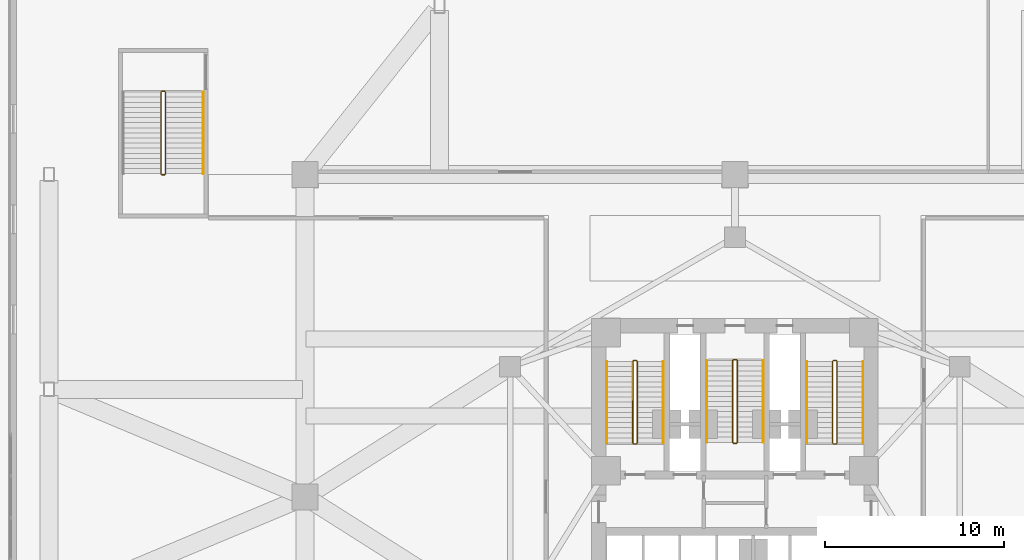
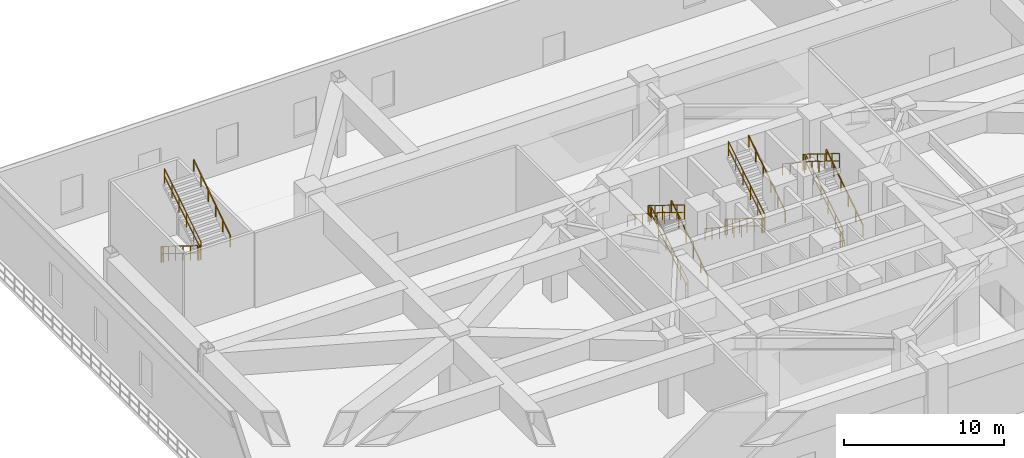
# One storey, part 21 of 25: 23 railings.
"""IFC4 building model written with IfcOpenShell, lengths in metres."""

from ifc_helpers import new_model, si_unit, direction, frame, origin, origin_2d, place, context, subcontext, project, spatial, rectangle, extrude, material, type_object, element, save


model = new_model("IFC4")

# Units and contexts
model_context = context("Model", 3, precision=1e-05, world=origin(), true_north=direction((0.0, 1.0)))
body_context = subcontext(model_context, "Body", "Model", "MODEL_VIEW")
ifc_project = project(units=[si_unit("LENGTHUNIT", "METRE"), si_unit("AREAUNIT", "SQUARE_METRE"), si_unit("VOLUMEUNIT", "CUBIC_METRE"), si_unit("PLANEANGLEUNIT", "RADIAN"), si_unit("MASSUNIT", "GRAM", prefix="KILO")], contexts=[model_context])

# Site, building, storey
site_placement = place(None, origin())
site = spatial("IfcSite", under=ifc_project, at=site_placement, CompositionType="ELEMENT")
building_placement = place(site_placement, origin())
building = spatial("IfcBuilding", under=site, at=building_placement, Name="Apsidion Concourse Tower", CompositionType="ELEMENT")
storey_placement = place(building_placement, frame((0.0, 0.0, 11.5)))
storey = spatial("IfcBuildingStorey", under=building, at=storey_placement, Name="L02", CompositionType="ELEMENT", Elevation=11.5)

# Railings
ifc_material = material(Name="Brushed stainless steel 316", Category="steel")
railing_type_1 = type_object("IfcRailingType", Name="RL-GUARD-1100", PredefinedType="GUARDRAIL", material=ifc_material)
railing_1_placement = place(storey_placement, frame((-5.449951171875, 3.0, 0.176513671875)))
element("IfcRailing", 1, at=railing_1_placement, inside=storey, type_object=railing_type_1, Name="L02 ST1 stair guard 1", PredefinedType="GUARDRAIL", context=body_context, shape_type="SweptSolid", body=[
    extrude(rectangle(XDim=0.048095703125, YDim=0.048095703125, at=origin_2d()), frame((0.0, 0.0, 1.09619140625), z_axis=(0.0, 0.850215668316, 0.526434532824), x_axis=(-1.0, 0.0, 0.0)), (0.0, 0.0, 1.0), 5.363525390625),
    extrude(rectangle(XDim=0.048095703125, YDim=0.048095703125, at=origin_2d()), frame((0.0, 0.0, 0.5361328125), z_axis=(0.0, 0.850215668316, 0.526434532824), x_axis=(-1.0, 0.0, 0.0)), (0.0, 0.0, 1.0), 5.363525390625),
    extrude(rectangle(XDim=0.0419921875, YDim=0.0419921875, at=origin_2d()), origin(), (0.0, 0.0, 1.0), 1.072021484375),
    extrude(rectangle(XDim=0.0419921875, YDim=0.0419921875, at=origin_2d()), frame((0.0, 0.912109375, 0.564697265625)), (0.0, 0.0, 1.0), 1.072021484375),
    extrude(rectangle(XDim=0.0419921875, YDim=0.0419921875, at=origin_2d()), frame((0.0, 1.823974609375, 1.12939453125)), (0.0, 0.0, 1.0), 1.072021484375),
    extrude(rectangle(XDim=0.0419921875, YDim=0.0419921875, at=origin_2d()), frame((0.0, 2.736083984375, 1.694091796875)), (0.0, 0.0, 1.0), 1.072021484375),
    extrude(rectangle(XDim=0.0419921875, YDim=0.0419921875, at=origin_2d()), frame((0.0, 3.64794921875, 2.2587890625)), (0.0, 0.0, 1.0), 1.072021484375),
    extrude(rectangle(XDim=0.0419921875, YDim=0.0419921875, at=origin_2d()), frame((0.0, 4.56005859375, 2.823486328125)), (0.0, 0.0, 1.0), 1.072021484375),
])
railing_2_placement = place(storey_placement, frame((-5.5, 7.610107421875, 3.0)))
element("IfcRailing", 2, at=railing_2_placement, inside=storey, type_object=railing_type_1, Name="L02 ST1 stair guard 2", PredefinedType="GUARDRAIL", context=body_context, shape_type="SweptSolid", body=[
    extrude(rectangle(XDim=0.048095703125, YDim=0.048095703125, at=origin_2d()), frame((0.0, 0.0, 1.09619140625), z_axis=(-1.0, 0.0, 0.0), x_axis=(0.0, -1.0, 0.0)), (0.0, 0.0, 1.0), 0.14990234375),
    extrude(rectangle(XDim=0.048095703125, YDim=0.048095703125, at=origin_2d()), frame((0.0, 0.0, 0.5361328125), z_axis=(-1.0, 0.0, 0.0), x_axis=(0.0, -1.0, 0.0)), (0.0, 0.0, 1.0), 0.14990234375),
    extrude(rectangle(XDim=0.0419921875, YDim=0.0419921875, at=origin_2d()), origin(), (0.0, 0.0, 1.0), 1.072021484375),
    extrude(rectangle(XDim=0.0419921875, YDim=0.0419921875, at=origin_2d()), frame((-0.14990234375, 0.0, 0.0)), (0.0, 0.0, 1.0), 1.072021484375),
])
railing_3_placement = place(storey_placement, frame((-5.699951171875, 7.56005859375, 3.176513671875)))
element("IfcRailing", 3, at=railing_3_placement, inside=storey, type_object=railing_type_1, Name="L02 ST1 stair guard 3", PredefinedType="GUARDRAIL", context=body_context, shape_type="SweptSolid", body=[
    extrude(rectangle(XDim=0.048095703125, YDim=0.048095703125, at=origin_2d()), frame((0.0, 0.0, 1.09619140625), z_axis=(0.0, -0.850215668316, 0.526434532824), x_axis=(1.0, 0.0, 0.0)), (0.0, 0.0, 1.0), 5.363525390625),
    extrude(rectangle(XDim=0.048095703125, YDim=0.048095703125, at=origin_2d()), frame((0.0, 0.0, 0.5361328125), z_axis=(0.0, -0.850215668316, 0.526434532824), x_axis=(1.0, 0.0, 0.0)), (0.0, 0.0, 1.0), 5.363525390625),
    extrude(rectangle(XDim=0.0419921875, YDim=0.0419921875, at=origin_2d()), origin(), (0.0, 0.0, 1.0), 1.072021484375),
    extrude(rectangle(XDim=0.0419921875, YDim=0.0419921875, at=origin_2d()), frame((0.0, -0.912109375, 0.564697265625)), (0.0, 0.0, 1.0), 1.072021484375),
    extrude(rectangle(XDim=0.0419921875, YDim=0.0419921875, at=origin_2d()), frame((0.0, -1.823974609375, 1.12939453125)), (0.0, 0.0, 1.0), 1.072021484375),
    extrude(rectangle(XDim=0.0419921875, YDim=0.0419921875, at=origin_2d()), frame((0.0, -2.736083984375, 1.694091796875)), (0.0, 0.0, 1.0), 1.072021484375),
    extrude(rectangle(XDim=0.0419921875, YDim=0.0419921875, at=origin_2d()), frame((0.0, -3.64794921875, 2.2587890625)), (0.0, 0.0, 1.0), 1.072021484375),
    extrude(rectangle(XDim=0.0419921875, YDim=0.0419921875, at=origin_2d()), frame((0.0, -4.56005859375, 2.823486328125)), (0.0, 0.0, 1.0), 1.072021484375),
])
railing_4_placement = place(storey_placement, frame((-5.5, 2.949951171875, 0.0)))
element("IfcRailing", 4, at=railing_4_placement, inside=storey, type_object=railing_type_1, Name="L02 ST1 stair guard 4", PredefinedType="GUARDRAIL", context=body_context, shape_type="SweptSolid", body=[
    extrude(rectangle(XDim=0.048095703125, YDim=0.048095703125, at=origin_2d()), frame((0.0, 0.0, 1.09619140625), z_axis=(-1.0, 0.0, 0.0), x_axis=(0.0, -1.0, 0.0)), (0.0, 0.0, 1.0), 0.14990234375),
    extrude(rectangle(XDim=0.048095703125, YDim=0.048095703125, at=origin_2d()), frame((0.0, 0.0, 0.5361328125), z_axis=(-1.0, 0.0, 0.0), x_axis=(0.0, -1.0, 0.0)), (0.0, 0.0, 1.0), 0.14990234375),
    extrude(rectangle(XDim=0.0419921875, YDim=0.0419921875, at=origin_2d()), origin(), (0.0, 0.0, 1.0), 1.072021484375),
    extrude(rectangle(XDim=0.0419921875, YDim=0.0419921875, at=origin_2d()), frame((-0.14990234375, 0.0, 0.0)), (0.0, 0.0, 1.0), 1.072021484375),
])
railing_5_placement = place(storey_placement, frame((5.699951171875, 3.0, 0.176513671875)))
element("IfcRailing", 5, at=railing_5_placement, inside=storey, type_object=railing_type_1, Name="L02 ST2 stair guard 1", PredefinedType="GUARDRAIL", context=body_context, shape_type="SweptSolid", body=[
    extrude(rectangle(XDim=0.048095703125, YDim=0.048095703125, at=origin_2d()), frame((0.0, 0.0, 1.09619140625), z_axis=(0.0, 0.850215668316, 0.526434532824), x_axis=(-1.0, 0.0, 0.0)), (0.0, 0.0, 1.0), 5.363525390625),
    extrude(rectangle(XDim=0.048095703125, YDim=0.048095703125, at=origin_2d()), frame((0.0, 0.0, 0.5361328125), z_axis=(0.0, 0.850215668316, 0.526434532824), x_axis=(-1.0, 0.0, 0.0)), (0.0, 0.0, 1.0), 5.363525390625),
    extrude(rectangle(XDim=0.0419921875, YDim=0.0419921875, at=origin_2d()), origin(), (0.0, 0.0, 1.0), 1.072021484375),
    extrude(rectangle(XDim=0.0419921875, YDim=0.0419921875, at=origin_2d()), frame((0.0, 0.912109375, 0.564697265625)), (0.0, 0.0, 1.0), 1.072021484375),
    extrude(rectangle(XDim=0.0419921875, YDim=0.0419921875, at=origin_2d()), frame((0.0, 1.823974609375, 1.12939453125)), (0.0, 0.0, 1.0), 1.072021484375),
    extrude(rectangle(XDim=0.0419921875, YDim=0.0419921875, at=origin_2d()), frame((0.0, 2.736083984375, 1.694091796875)), (0.0, 0.0, 1.0), 1.072021484375),
    extrude(rectangle(XDim=0.0419921875, YDim=0.0419921875, at=origin_2d()), frame((0.0, 3.64794921875, 2.2587890625)), (0.0, 0.0, 1.0), 1.072021484375),
    extrude(rectangle(XDim=0.0419921875, YDim=0.0419921875, at=origin_2d()), frame((0.0, 4.56005859375, 2.823486328125)), (0.0, 0.0, 1.0), 1.072021484375),
])
railing_6_placement = place(storey_placement, frame((5.64990234375, 7.610107421875, 3.0)))
element("IfcRailing", 6, at=railing_6_placement, inside=storey, type_object=railing_type_1, Name="L02 ST2 stair guard 2", PredefinedType="GUARDRAIL", context=body_context, shape_type="SweptSolid", body=[
    extrude(rectangle(XDim=0.048095703125, YDim=0.048095703125, at=origin_2d()), frame((0.0, 0.0, 1.09619140625), z_axis=(-1.0, 0.0, 0.0), x_axis=(0.0, -1.0, 0.0)), (0.0, 0.0, 1.0), 0.14990234375),
    extrude(rectangle(XDim=0.048095703125, YDim=0.048095703125, at=origin_2d()), frame((0.0, 0.0, 0.5361328125), z_axis=(-1.0, 0.0, 0.0), x_axis=(0.0, -1.0, 0.0)), (0.0, 0.0, 1.0), 0.14990234375),
    extrude(rectangle(XDim=0.0419921875, YDim=0.0419921875, at=origin_2d()), origin(), (0.0, 0.0, 1.0), 1.072021484375),
    extrude(rectangle(XDim=0.0419921875, YDim=0.0419921875, at=origin_2d()), frame((-0.14990234375, 0.0, 0.0)), (0.0, 0.0, 1.0), 1.072021484375),
])
railing_7_placement = place(storey_placement, frame((5.449951171875, 7.56005859375, 3.176513671875)))
element("IfcRailing", 7, at=railing_7_placement, inside=storey, type_object=railing_type_1, Name="L02 ST2 stair guard 3", PredefinedType="GUARDRAIL", context=body_context, shape_type="SweptSolid", body=[
    extrude(rectangle(XDim=0.048095703125, YDim=0.048095703125, at=origin_2d()), frame((0.0, 0.0, 1.09619140625), z_axis=(0.0, -0.850215668316, 0.526434532824), x_axis=(1.0, 0.0, 0.0)), (0.0, 0.0, 1.0), 5.363525390625),
    extrude(rectangle(XDim=0.048095703125, YDim=0.048095703125, at=origin_2d()), frame((0.0, 0.0, 0.5361328125), z_axis=(0.0, -0.850215668316, 0.526434532824), x_axis=(1.0, 0.0, 0.0)), (0.0, 0.0, 1.0), 5.363525390625),
    extrude(rectangle(XDim=0.0419921875, YDim=0.0419921875, at=origin_2d()), origin(), (0.0, 0.0, 1.0), 1.072021484375),
    extrude(rectangle(XDim=0.0419921875, YDim=0.0419921875, at=origin_2d()), frame((0.0, -0.912109375, 0.564697265625)), (0.0, 0.0, 1.0), 1.072021484375),
    extrude(rectangle(XDim=0.0419921875, YDim=0.0419921875, at=origin_2d()), frame((0.0, -1.823974609375, 1.12939453125)), (0.0, 0.0, 1.0), 1.072021484375),
    extrude(rectangle(XDim=0.0419921875, YDim=0.0419921875, at=origin_2d()), frame((0.0, -2.736083984375, 1.694091796875)), (0.0, 0.0, 1.0), 1.072021484375),
    extrude(rectangle(XDim=0.0419921875, YDim=0.0419921875, at=origin_2d()), frame((0.0, -3.64794921875, 2.2587890625)), (0.0, 0.0, 1.0), 1.072021484375),
    extrude(rectangle(XDim=0.0419921875, YDim=0.0419921875, at=origin_2d()), frame((0.0, -4.56005859375, 2.823486328125)), (0.0, 0.0, 1.0), 1.072021484375),
])
railing_8_placement = place(storey_placement, frame((5.64990234375, 2.949951171875, 0.0)))
element("IfcRailing", 8, at=railing_8_placement, inside=storey, type_object=railing_type_1, Name="L02 ST2 stair guard 4", PredefinedType="GUARDRAIL", context=body_context, shape_type="SweptSolid", body=[
    extrude(rectangle(XDim=0.048095703125, YDim=0.048095703125, at=origin_2d()), frame((0.0, 0.0, 1.09619140625), z_axis=(-1.0, 0.0, 0.0), x_axis=(0.0, -1.0, 0.0)), (0.0, 0.0, 1.0), 0.14990234375),
    extrude(rectangle(XDim=0.048095703125, YDim=0.048095703125, at=origin_2d()), frame((0.0, 0.0, 0.5361328125), z_axis=(-1.0, 0.0, 0.0), x_axis=(0.0, -1.0, 0.0)), (0.0, 0.0, 1.0), 0.14990234375),
    extrude(rectangle(XDim=0.0419921875, YDim=0.0419921875, at=origin_2d()), origin(), (0.0, 0.0, 1.0), 1.072021484375),
    extrude(rectangle(XDim=0.0419921875, YDim=0.0419921875, at=origin_2d()), frame((-0.14990234375, 0.0, 0.0)), (0.0, 0.0, 1.0), 1.072021484375),
])
railing_9_placement = place(storey_placement, frame((-0.125, 7.60009765625, 0.176513671875)))
element("IfcRailing", 9, at=railing_9_placement, inside=storey, type_object=railing_type_1, Name="L02 ST3 stair guard 1", PredefinedType="GUARDRAIL", context=body_context, shape_type="SweptSolid", body=[
    extrude(rectangle(XDim=0.048095703125, YDim=0.048095703125, at=origin_2d()), frame((0.0, 0.0, 1.09619140625), z_axis=(0.0, -0.850215668316, 0.526434532824), x_axis=(1.0, 0.0, 0.0)), (0.0, 0.0, 1.0), 5.363525390625),
    extrude(rectangle(XDim=0.048095703125, YDim=0.048095703125, at=origin_2d()), frame((0.0, 0.0, 0.5361328125), z_axis=(0.0, -0.850215668316, 0.526434532824), x_axis=(1.0, 0.0, 0.0)), (0.0, 0.0, 1.0), 5.363525390625),
    extrude(rectangle(XDim=0.0419921875, YDim=0.0419921875, at=origin_2d()), origin(), (0.0, 0.0, 1.0), 1.072021484375),
    extrude(rectangle(XDim=0.0419921875, YDim=0.0419921875, at=origin_2d()), frame((0.0, -0.912109375, 0.564697265625)), (0.0, 0.0, 1.0), 1.072021484375),
    extrude(rectangle(XDim=0.0419921875, YDim=0.0419921875, at=origin_2d()), frame((0.0, -1.823974609375, 1.12939453125)), (0.0, 0.0, 1.0), 1.072021484375),
    extrude(rectangle(XDim=0.0419921875, YDim=0.0419921875, at=origin_2d()), frame((0.0, -2.736083984375, 1.694091796875)), (0.0, 0.0, 1.0), 1.072021484375),
    extrude(rectangle(XDim=0.0419921875, YDim=0.0419921875, at=origin_2d()), frame((0.0, -3.64794921875, 2.2587890625)), (0.0, 0.0, 1.0), 1.072021484375),
    extrude(rectangle(XDim=0.0419921875, YDim=0.0419921875, at=origin_2d()), frame((0.0, -4.56005859375, 2.823486328125)), (0.0, 0.0, 1.0), 1.072021484375),
])
railing_10_placement = place(storey_placement, frame((-0.074951171875, 2.989990234375, 3.0)))
element("IfcRailing", 10, at=railing_10_placement, inside=storey, type_object=railing_type_1, Name="L02 ST3 stair guard 2", PredefinedType="GUARDRAIL", context=body_context, shape_type="SweptSolid", body=[
    extrude(rectangle(XDim=0.048095703125, YDim=0.048095703125, at=origin_2d()), frame((0.0, 0.0, 1.09619140625), z_axis=(1.0, 0.0, 0.0), x_axis=(0.0, 1.0, 0.0)), (0.0, 0.0, 1.0), 0.14990234375),
    extrude(rectangle(XDim=0.048095703125, YDim=0.048095703125, at=origin_2d()), frame((0.0, 0.0, 0.5361328125), z_axis=(1.0, 0.0, 0.0), x_axis=(0.0, 1.0, 0.0)), (0.0, 0.0, 1.0), 0.14990234375),
    extrude(rectangle(XDim=0.0419921875, YDim=0.0419921875, at=origin_2d()), origin(), (0.0, 0.0, 1.0), 1.072021484375),
    extrude(rectangle(XDim=0.0419921875, YDim=0.0419921875, at=origin_2d()), frame((0.14990234375, 0.0, 0.0)), (0.0, 0.0, 1.0), 1.072021484375),
])
railing_11_placement = place(storey_placement, frame((0.125, 3.0400390625, 3.176513671875)))
element("IfcRailing", 11, at=railing_11_placement, inside=storey, type_object=railing_type_1, Name="L02 ST3 stair guard 3", PredefinedType="GUARDRAIL", context=body_context, shape_type="SweptSolid", body=[
    extrude(rectangle(XDim=0.048095703125, YDim=0.048095703125, at=origin_2d()), frame((0.0, 0.0, 1.09619140625), z_axis=(0.0, 0.850215668316, 0.526434532824), x_axis=(-1.0, 0.0, 0.0)), (0.0, 0.0, 1.0), 5.363525390625),
    extrude(rectangle(XDim=0.048095703125, YDim=0.048095703125, at=origin_2d()), frame((0.0, 0.0, 0.5361328125), z_axis=(0.0, 0.850215668316, 0.526434532824), x_axis=(-1.0, 0.0, 0.0)), (0.0, 0.0, 1.0), 5.363525390625),
    extrude(rectangle(XDim=0.0419921875, YDim=0.0419921875, at=origin_2d()), origin(), (0.0, 0.0, 1.0), 1.072021484375),
    extrude(rectangle(XDim=0.0419921875, YDim=0.0419921875, at=origin_2d()), frame((0.0, 0.912109375, 0.564697265625)), (0.0, 0.0, 1.0), 1.072021484375),
    extrude(rectangle(XDim=0.0419921875, YDim=0.0419921875, at=origin_2d()), frame((0.0, 1.823974609375, 1.12939453125)), (0.0, 0.0, 1.0), 1.072021484375),
    extrude(rectangle(XDim=0.0419921875, YDim=0.0419921875, at=origin_2d()), frame((0.0, 2.736083984375, 1.694091796875)), (0.0, 0.0, 1.0), 1.072021484375),
    extrude(rectangle(XDim=0.0419921875, YDim=0.0419921875, at=origin_2d()), frame((0.0, 3.64794921875, 2.2587890625)), (0.0, 0.0, 1.0), 1.072021484375),
    extrude(rectangle(XDim=0.0419921875, YDim=0.0419921875, at=origin_2d()), frame((0.0, 4.56005859375, 2.823486328125)), (0.0, 0.0, 1.0), 1.072021484375),
])
railing_12_placement = place(storey_placement, frame((-0.074951171875, 7.64990234375, 0.0)))
element("IfcRailing", 12, at=railing_12_placement, inside=storey, type_object=railing_type_1, Name="L02 ST3 stair guard 4", PredefinedType="GUARDRAIL", context=body_context, shape_type="SweptSolid", body=[
    extrude(rectangle(XDim=0.048095703125, YDim=0.048095703125, at=origin_2d()), frame((0.0, 0.0, 1.09619140625), z_axis=(1.0, 0.0, 0.0), x_axis=(0.0, 1.0, 0.0)), (0.0, 0.0, 1.0), 0.14990234375),
    extrude(rectangle(XDim=0.048095703125, YDim=0.048095703125, at=origin_2d()), frame((0.0, 0.0, 0.5361328125), z_axis=(1.0, 0.0, 0.0), x_axis=(0.0, 1.0, 0.0)), (0.0, 0.0, 1.0), 0.14990234375),
    extrude(rectangle(XDim=0.0419921875, YDim=0.0419921875, at=origin_2d()), origin(), (0.0, 0.0, 1.0), 1.072021484375),
    extrude(rectangle(XDim=0.0419921875, YDim=0.0419921875, at=origin_2d()), frame((0.14990234375, 0.0, 0.0)), (0.0, 0.0, 1.0), 1.072021484375),
])
railing_13_placement = place(storey_placement, frame((-32.050048828125, 22.60009765625, 0.176513671875)))
element("IfcRailing", 13, at=railing_13_placement, inside=storey, type_object=railing_type_1, Name="L02 ST-P3 stair guard 1", PredefinedType="GUARDRAIL", context=body_context, shape_type="SweptSolid", body=[
    extrude(rectangle(XDim=0.048095703125, YDim=0.048095703125, at=origin_2d()), frame((0.0, 0.0, 1.09619140625), z_axis=(0.0, -0.850215668316, 0.526434532824), x_axis=(1.0, 0.0, 0.0)), (0.0, 0.0, 1.0), 5.363525390625),
    extrude(rectangle(XDim=0.048095703125, YDim=0.048095703125, at=origin_2d()), frame((0.0, 0.0, 0.5361328125), z_axis=(0.0, -0.850215668316, 0.526434532824), x_axis=(1.0, 0.0, 0.0)), (0.0, 0.0, 1.0), 5.363525390625),
    extrude(rectangle(XDim=0.0419921875, YDim=0.0419921875, at=origin_2d()), origin(), (0.0, 0.0, 1.0), 1.072021484375),
    extrude(rectangle(XDim=0.0419921875, YDim=0.0419921875, at=origin_2d()), frame((0.0, -0.912109375, 0.564697265625)), (0.0, 0.0, 1.0), 1.072021484375),
    extrude(rectangle(XDim=0.0419921875, YDim=0.0419921875, at=origin_2d()), frame((0.0, -1.823974609375, 1.12939453125)), (0.0, 0.0, 1.0), 1.072021484375),
    extrude(rectangle(XDim=0.0419921875, YDim=0.0419921875, at=origin_2d()), frame((0.0, -2.736083984375, 1.694091796875)), (0.0, 0.0, 1.0), 1.072021484375),
    extrude(rectangle(XDim=0.0419921875, YDim=0.0419921875, at=origin_2d()), frame((0.0, -3.64794921875, 2.2587890625)), (0.0, 0.0, 1.0), 1.072021484375),
    extrude(rectangle(XDim=0.0419921875, YDim=0.0419921875, at=origin_2d()), frame((0.0, -4.56005859375, 2.823486328125)), (0.0, 0.0, 1.0), 1.072021484375),
])
railing_14_placement = place(storey_placement, frame((-32.0, 17.989990234375, 3.0)))
element("IfcRailing", 14, at=railing_14_placement, inside=storey, type_object=railing_type_1, Name="L02 ST-P3 stair guard 2", PredefinedType="GUARDRAIL", context=body_context, shape_type="SweptSolid", body=[
    extrude(rectangle(XDim=0.048095703125, YDim=0.048095703125, at=origin_2d()), frame((0.0, 0.0, 1.09619140625), z_axis=(1.0, 0.0, 0.0), x_axis=(0.0, 1.0, 0.0)), (0.0, 0.0, 1.0), 0.14990234375),
    extrude(rectangle(XDim=0.048095703125, YDim=0.048095703125, at=origin_2d()), frame((0.0, 0.0, 0.5361328125), z_axis=(1.0, 0.0, 0.0), x_axis=(0.0, 1.0, 0.0)), (0.0, 0.0, 1.0), 0.14990234375),
    extrude(rectangle(XDim=0.0419921875, YDim=0.0419921875, at=origin_2d()), origin(), (0.0, 0.0, 1.0), 1.072021484375),
    extrude(rectangle(XDim=0.0419921875, YDim=0.0419921875, at=origin_2d()), frame((0.14990234375, 0.0, 0.0)), (0.0, 0.0, 1.0), 1.072021484375),
])
railing_15_placement = place(storey_placement, frame((-31.800048828125, 18.0400390625, 3.176513671875)))
element("IfcRailing", 15, at=railing_15_placement, inside=storey, type_object=railing_type_1, Name="L02 ST-P3 stair guard 3", PredefinedType="GUARDRAIL", context=body_context, shape_type="SweptSolid", body=[
    extrude(rectangle(XDim=0.048095703125, YDim=0.048095703125, at=origin_2d()), frame((0.0, 0.0, 1.09619140625), z_axis=(0.0, 0.850215668316, 0.526434532824), x_axis=(-1.0, 0.0, 0.0)), (0.0, 0.0, 1.0), 5.363525390625),
    extrude(rectangle(XDim=0.048095703125, YDim=0.048095703125, at=origin_2d()), frame((0.0, 0.0, 0.5361328125), z_axis=(0.0, 0.850215668316, 0.526434532824), x_axis=(-1.0, 0.0, 0.0)), (0.0, 0.0, 1.0), 5.363525390625),
    extrude(rectangle(XDim=0.0419921875, YDim=0.0419921875, at=origin_2d()), origin(), (0.0, 0.0, 1.0), 1.072021484375),
    extrude(rectangle(XDim=0.0419921875, YDim=0.0419921875, at=origin_2d()), frame((0.0, 0.912109375, 0.564697265625)), (0.0, 0.0, 1.0), 1.072021484375),
    extrude(rectangle(XDim=0.0419921875, YDim=0.0419921875, at=origin_2d()), frame((0.0, 1.823974609375, 1.12939453125)), (0.0, 0.0, 1.0), 1.072021484375),
    extrude(rectangle(XDim=0.0419921875, YDim=0.0419921875, at=origin_2d()), frame((0.0, 2.736083984375, 1.694091796875)), (0.0, 0.0, 1.0), 1.072021484375),
    extrude(rectangle(XDim=0.0419921875, YDim=0.0419921875, at=origin_2d()), frame((0.0, 3.64794921875, 2.2587890625)), (0.0, 0.0, 1.0), 1.072021484375),
    extrude(rectangle(XDim=0.0419921875, YDim=0.0419921875, at=origin_2d()), frame((0.0, 4.56005859375, 2.823486328125)), (0.0, 0.0, 1.0), 1.072021484375),
])
railing_16_placement = place(storey_placement, frame((-32.0, 22.64990234375, 0.0)))
element("IfcRailing", 16, at=railing_16_placement, inside=storey, type_object=railing_type_1, Name="L02 ST-P3 stair guard 4", PredefinedType="GUARDRAIL", context=body_context, shape_type="SweptSolid", body=[
    extrude(rectangle(XDim=0.048095703125, YDim=0.048095703125, at=origin_2d()), frame((0.0, 0.0, 1.09619140625), z_axis=(1.0, 0.0, 0.0), x_axis=(0.0, 1.0, 0.0)), (0.0, 0.0, 1.0), 0.14990234375),
    extrude(rectangle(XDim=0.048095703125, YDim=0.048095703125, at=origin_2d()), frame((0.0, 0.0, 0.5361328125), z_axis=(1.0, 0.0, 0.0), x_axis=(0.0, 1.0, 0.0)), (0.0, 0.0, 1.0), 0.14990234375),
    extrude(rectangle(XDim=0.0419921875, YDim=0.0419921875, at=origin_2d()), origin(), (0.0, 0.0, 1.0), 1.072021484375),
    extrude(rectangle(XDim=0.0419921875, YDim=0.0419921875, at=origin_2d()), frame((0.14990234375, 0.0, 0.0)), (0.0, 0.0, 1.0), 1.072021484375),
])
railing_type_2 = type_object("IfcRailingType", Name="RL-HAND-900", PredefinedType="HANDRAIL", material=ifc_material)
railing_17_placement = place(storey_placement, frame((-4.0, 3.0, 0.176513671875)))
element("IfcRailing", 17, at=railing_17_placement, inside=storey, type_object=railing_type_2, Name="L02 ST1 stair handrail 1", PredefinedType="HANDRAIL", context=body_context, shape_type="SweptSolid", body=[
    extrude(rectangle(XDim=0.048095703125, YDim=0.048095703125, at=origin_2d()), frame((0.0, 0.0, 0.8759765625), z_axis=(0.0, 0.835420324919, 0.549611572578), x_axis=(-1.0, 0.0, 0.0)), (0.0, 0.0, 1.0), 5.45849609375),
    extrude(rectangle(XDim=0.0419921875, YDim=0.0419921875, at=origin_2d()), origin(), (0.0, 0.0, 1.0), 0.851806640625),
    extrude(rectangle(XDim=0.0419921875, YDim=0.0419921875, at=origin_2d()), frame((0.0, 0.912109375, 0.60009765625)), (0.0, 0.0, 1.0), 0.851806640625),
    extrude(rectangle(XDim=0.0419921875, YDim=0.0419921875, at=origin_2d()), frame((0.0, 1.823974609375, 1.199951171875)), (0.0, 0.0, 1.0), 0.851806640625),
    extrude(rectangle(XDim=0.0419921875, YDim=0.0419921875, at=origin_2d()), frame((0.0, 2.736083984375, 1.800048828125)), (0.0, 0.0, 1.0), 0.851806640625),
    extrude(rectangle(XDim=0.0419921875, YDim=0.0419921875, at=origin_2d()), frame((0.0, 3.64794921875, 2.39990234375)), (0.0, 0.0, 1.0), 0.851806640625),
    extrude(rectangle(XDim=0.0419921875, YDim=0.0419921875, at=origin_2d()), frame((0.0, 4.56005859375, 3.0)), (0.0, 0.0, 1.0), 0.851806640625),
])
railing_18_placement = place(storey_placement, frame((-7.14990234375, 7.56005859375, 3.176513671875)))
element("IfcRailing", 18, at=railing_18_placement, inside=storey, type_object=railing_type_2, Name="L02 ST1 stair handrail 2", PredefinedType="HANDRAIL", context=body_context, shape_type="SweptSolid", body=[
    extrude(rectangle(XDim=0.048095703125, YDim=0.048095703125, at=origin_2d()), frame((0.0, 0.0, 0.8759765625), z_axis=(0.0, -0.835420324919, 0.549611572578), x_axis=(1.0, 0.0, 0.0)), (0.0, 0.0, 1.0), 5.45849609375),
    extrude(rectangle(XDim=0.0419921875, YDim=0.0419921875, at=origin_2d()), origin(), (0.0, 0.0, 1.0), 0.851806640625),
    extrude(rectangle(XDim=0.0419921875, YDim=0.0419921875, at=origin_2d()), frame((0.0, -0.912109375, 0.60009765625)), (0.0, 0.0, 1.0), 0.851806640625),
    extrude(rectangle(XDim=0.0419921875, YDim=0.0419921875, at=origin_2d()), frame((0.0, -1.823974609375, 1.199951171875)), (0.0, 0.0, 1.0), 0.851806640625),
    extrude(rectangle(XDim=0.0419921875, YDim=0.0419921875, at=origin_2d()), frame((0.0, -2.736083984375, 1.800048828125)), (0.0, 0.0, 1.0), 0.851806640625),
    extrude(rectangle(XDim=0.0419921875, YDim=0.0419921875, at=origin_2d()), frame((0.0, -3.64794921875, 2.39990234375)), (0.0, 0.0, 1.0), 0.851806640625),
    extrude(rectangle(XDim=0.0419921875, YDim=0.0419921875, at=origin_2d()), frame((0.0, -4.56005859375, 3.0)), (0.0, 0.0, 1.0), 0.851806640625),
])
railing_19_placement = place(storey_placement, frame((7.14990234375, 3.0, 0.176513671875)))
element("IfcRailing", 19, at=railing_19_placement, inside=storey, type_object=railing_type_2, Name="L02 ST2 stair handrail 1", PredefinedType="HANDRAIL", context=body_context, shape_type="SweptSolid", body=[
    extrude(rectangle(XDim=0.048095703125, YDim=0.048095703125, at=origin_2d()), frame((0.0, 0.0, 0.8759765625), z_axis=(0.0, 0.835420324919, 0.549611572578), x_axis=(-1.0, 0.0, 0.0)), (0.0, 0.0, 1.0), 5.45849609375),
    extrude(rectangle(XDim=0.0419921875, YDim=0.0419921875, at=origin_2d()), origin(), (0.0, 0.0, 1.0), 0.851806640625),
    extrude(rectangle(XDim=0.0419921875, YDim=0.0419921875, at=origin_2d()), frame((0.0, 0.912109375, 0.60009765625)), (0.0, 0.0, 1.0), 0.851806640625),
    extrude(rectangle(XDim=0.0419921875, YDim=0.0419921875, at=origin_2d()), frame((0.0, 1.823974609375, 1.199951171875)), (0.0, 0.0, 1.0), 0.851806640625),
    extrude(rectangle(XDim=0.0419921875, YDim=0.0419921875, at=origin_2d()), frame((0.0, 2.736083984375, 1.800048828125)), (0.0, 0.0, 1.0), 0.851806640625),
    extrude(rectangle(XDim=0.0419921875, YDim=0.0419921875, at=origin_2d()), frame((0.0, 3.64794921875, 2.39990234375)), (0.0, 0.0, 1.0), 0.851806640625),
    extrude(rectangle(XDim=0.0419921875, YDim=0.0419921875, at=origin_2d()), frame((0.0, 4.56005859375, 3.0)), (0.0, 0.0, 1.0), 0.851806640625),
])
for number, where, name in (
    (20, (4.0, 7.56005859375, 3.176513671875), "L02 ST2 stair handrail 2"),
    (21, (-1.574951171875, 7.60009765625, 0.176513671875), "L02 ST3 stair handrail 1"),
):
    element("IfcRailing", number, at=place(storey_placement, frame(where)), inside=storey, type_object=railing_type_2, Name=name, PredefinedType="HANDRAIL", context=body_context, shape_type="SweptSolid", body=[
        extrude(rectangle(XDim=0.048095703125, YDim=0.048095703125, at=origin_2d()), frame((0.0, 0.0, 0.8759765625), z_axis=(0.0, -0.835420324919, 0.549611572578), x_axis=(1.0, 0.0, 0.0)), (0.0, 0.0, 1.0), 5.45849609375),
        extrude(rectangle(XDim=0.0419921875, YDim=0.0419921875, at=origin_2d()), origin(), (0.0, 0.0, 1.0), 0.851806640625),
        extrude(rectangle(XDim=0.0419921875, YDim=0.0419921875, at=origin_2d()), frame((0.0, -0.912109375, 0.60009765625)), (0.0, 0.0, 1.0), 0.851806640625),
        extrude(rectangle(XDim=0.0419921875, YDim=0.0419921875, at=origin_2d()), frame((0.0, -1.823974609375, 1.199951171875)), (0.0, 0.0, 1.0), 0.851806640625),
        extrude(rectangle(XDim=0.0419921875, YDim=0.0419921875, at=origin_2d()), frame((0.0, -2.736083984375, 1.800048828125)), (0.0, 0.0, 1.0), 0.851806640625),
        extrude(rectangle(XDim=0.0419921875, YDim=0.0419921875, at=origin_2d()), frame((0.0, -3.64794921875, 2.39990234375)), (0.0, 0.0, 1.0), 0.851806640625),
        extrude(rectangle(XDim=0.0419921875, YDim=0.0419921875, at=origin_2d()), frame((0.0, -4.56005859375, 3.0)), (0.0, 0.0, 1.0), 0.851806640625),
    ])
for number, where, name in (
    (22, (1.574951171875, 3.0400390625, 3.176513671875), "L02 ST3 stair handrail 2"),
    (23, (-29.699951171875, 18.0400390625, 3.176513671875), "L02 ST-P3 stair handrail 2"),
):
    element("IfcRailing", number, at=place(storey_placement, frame(where)), inside=storey, type_object=railing_type_2, Name=name, PredefinedType="HANDRAIL", context=body_context, shape_type="SweptSolid", body=[
        extrude(rectangle(XDim=0.048095703125, YDim=0.048095703125, at=origin_2d()), frame((0.0, 0.0, 0.8759765625), z_axis=(0.0, 0.835420324919, 0.549611572578), x_axis=(-1.0, 0.0, 0.0)), (0.0, 0.0, 1.0), 5.45849609375),
        extrude(rectangle(XDim=0.0419921875, YDim=0.0419921875, at=origin_2d()), origin(), (0.0, 0.0, 1.0), 0.851806640625),
        extrude(rectangle(XDim=0.0419921875, YDim=0.0419921875, at=origin_2d()), frame((0.0, 0.912109375, 0.60009765625)), (0.0, 0.0, 1.0), 0.851806640625),
        extrude(rectangle(XDim=0.0419921875, YDim=0.0419921875, at=origin_2d()), frame((0.0, 1.823974609375, 1.199951171875)), (0.0, 0.0, 1.0), 0.851806640625),
        extrude(rectangle(XDim=0.0419921875, YDim=0.0419921875, at=origin_2d()), frame((0.0, 2.736083984375, 1.800048828125)), (0.0, 0.0, 1.0), 0.851806640625),
        extrude(rectangle(XDim=0.0419921875, YDim=0.0419921875, at=origin_2d()), frame((0.0, 3.64794921875, 2.39990234375)), (0.0, 0.0, 1.0), 0.851806640625),
        extrude(rectangle(XDim=0.0419921875, YDim=0.0419921875, at=origin_2d()), frame((0.0, 4.56005859375, 3.0)), (0.0, 0.0, 1.0), 0.851806640625),
    ])

save(model, "model.ifc")
